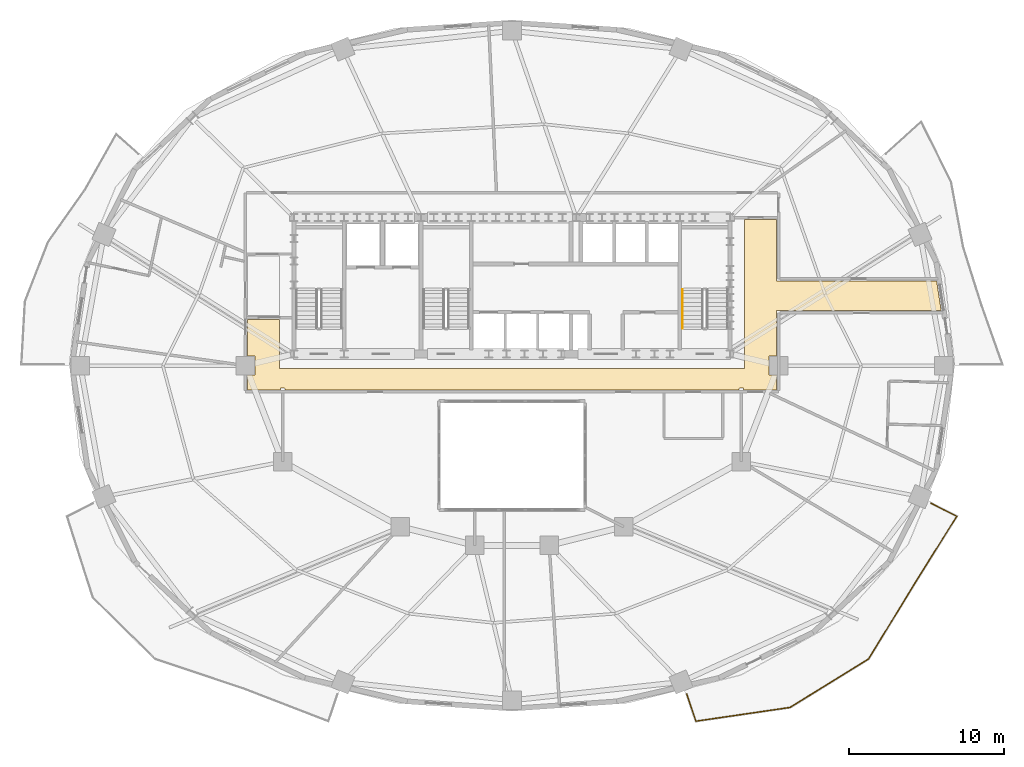
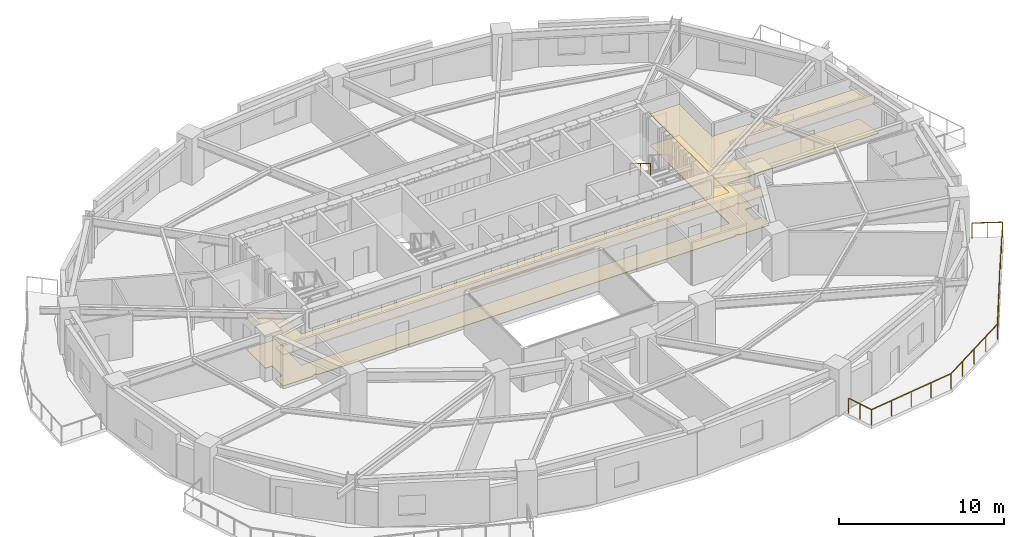
# One storey, part 12 of 13: 2 coverings, 2 railings.
"""IFC4 building model written with IfcOpenShell, lengths in metres."""

from ifc_helpers import new_model, si_unit, direction, frame, origin, origin_2d, place, context, subcontext, project, spatial, polyline, rectangle, outline, extrude, material, layer, layer_set, type_object, element, save


model = new_model("IFC4")

# Units and contexts
model_context = context("Model", 3, precision=1e-05, world=origin(), true_north=direction((0.0, 1.0)))
body_context = subcontext(model_context, "Body", "Model", "MODEL_VIEW")
ifc_project = project(units=[si_unit("LENGTHUNIT", "METRE"), si_unit("AREAUNIT", "SQUARE_METRE"), si_unit("VOLUMEUNIT", "CUBIC_METRE"), si_unit("PLANEANGLEUNIT", "RADIAN"), si_unit("MASSUNIT", "GRAM", prefix="KILO")], contexts=[model_context])

# Site, building, storey
site_placement = place(None, origin())
site = spatial("IfcSite", under=ifc_project, at=site_placement, CompositionType="ELEMENT")
building_placement = place(site_placement, origin())
building = spatial("IfcBuilding", under=site, at=building_placement, Name="Haldorwick Loom Tower", CompositionType="ELEMENT")
storey_placement = place(building_placement, frame((0.0, 0.0, 120.800048828125)))
storey = spatial("IfcBuildingStorey", under=building, at=storey_placement, Name="L32", CompositionType="ELEMENT", Elevation=120.800048828125)

# Coverings
ifc_material_1 = material(Name="Mineral Fibre Acoustic Ceiling Tile")
ifc_layer_1 = layer(ifc_material_1, 0.054931640625, Name="Mineral Fibre Acoustic Ceiling Tile")
ifc_layer_set_1 = layer_set([ifc_layer_1], Name="Mineral Fibre Acoustic Ceiling Tile")
covering_type_1 = type_object("IfcCoveringType", Name="ARC-COV-CEIL2", PredefinedType="CEILING", material=ifc_layer_set_1)
covering_1_placement = place(storey_placement, frame((0.0, 0.0, 2.302001953125)))
element("IfcCovering", 1, at=covering_1_placement, inside=storey, type_object=covering_type_1, Name="L32 Acoustic Suspended Ceiling 1", PredefinedType="CEILING", context=body_context, shape_type="SweptSolid", body=[
    extrude(outline(polyline([(18.93994140625, 26.60791015625), (19.407958984375, 26.60791015625), (19.407958984375, 25.39208984375), (18.948974609375, 25.39208984375), (18.940185546875, 24.43994140625), (21.06005859375, 24.43994140625), (21.06005859375, 24.52001953125), (21.06005859375, 24.52197265625), (21.060302734375, 24.52392578125), (21.060791015625, 24.52587890625), (21.0615234375, 24.527587890625), (21.0625, 24.529296875), (21.0634765625, 24.531005859375), (21.064453125, 24.53271484375), (21.06591796875, 24.5341796875), (21.0673828125, 24.535400390625), (21.06884765625, 24.53662109375), (21.070556640625, 24.53759765625), (21.072265625, 24.53857421875), (21.07421875, 24.5390625), (21.076171875, 24.53955078125), (21.077880859375, 24.539794921875), (21.080078125, 24.5400390625), (21.320068359375, 24.5400390625), (21.322021484375, 24.539794921875), (21.323974609375, 24.53955078125), (21.32568359375, 24.5390625), (21.32763671875, 24.53857421875), (21.329345703125, 24.53759765625), (21.3310546875, 24.53662109375), (21.332763671875, 24.535400390625), (21.333984375, 24.5341796875), (21.33544921875, 24.53271484375), (21.336669921875, 24.531005859375), (21.337646484375, 24.529296875), (21.33837890625, 24.527587890625), (21.339111328125, 24.52587890625), (21.339599609375, 24.52392578125), (21.33984375, 24.52197265625), (21.340087890625, 24.52001953125), (21.340087890625, 24.43994140625), (50.659912109375, 24.43994140625), (50.659912109375, 24.52001953125), (50.66015625, 24.52197265625), (50.660400390625, 24.52392578125), (50.660888671875, 24.52587890625), (50.66162109375, 24.527587890625), (50.662353515625, 24.529296875), (50.663330078125, 24.531005859375), (50.66455078125, 24.53271484375), (50.666015625, 24.5341796875), (50.667236328125, 24.535400390625), (50.6689453125, 24.53662109375), (50.670654296875, 24.53759765625), (50.67236328125, 24.53857421875), (50.67431640625, 24.5390625), (50.676025390625, 24.53955078125), (50.677978515625, 24.539794921875), (50.679931640625, 24.5400390625), (50.919921875, 24.5400390625), (50.922119140625, 24.539794921875), (50.923828125, 24.53955078125), (50.92578125, 24.5390625), (50.927734375, 24.53857421875), (50.929443359375, 24.53759765625), (50.93115234375, 24.53662109375), (50.9326171875, 24.535400390625), (50.93408203125, 24.5341796875), (50.935546875, 24.53271484375), (50.9365234375, 24.531005859375), (50.9375, 24.529296875), (50.9384765625, 24.527587890625), (50.939208984375, 24.52587890625), (50.939697265625, 24.52392578125), (50.93994140625, 24.52197265625), (50.93994140625, 24.52001953125), (50.93994140625, 24.43994140625), (53.06005859375, 24.43994140625), (53.06005859375, 25.39208984375), (52.592041015625, 25.39208984375), (52.592041015625, 26.60791015625), (53.06005859375, 26.60791015625), (53.06005859375, 29.52001953125), (53.06005859375, 29.52197265625), (53.060302734375, 29.52392578125), (53.060791015625, 29.52587890625), (53.0615234375, 29.527587890625), (53.0625, 29.529296875), (53.0634765625, 29.531005859375), (53.064453125, 29.53271484375), (53.06591796875, 29.5341796875), (53.0673828125, 29.535400390625), (53.06884765625, 29.53662109375), (53.070556640625, 29.53759765625), (53.072265625, 29.53857421875), (53.07421875, 29.5390625), (53.076171875, 29.53955078125), (53.077880859375, 29.539794921875), (53.080078125, 29.5400390625), (63.69140625, 29.5400390625), (63.398681640625, 31.4599609375), (53.080078125, 31.4599609375), (53.077880859375, 31.460205078125), (53.076171875, 31.46044921875), (53.07421875, 31.4609375), (53.072265625, 31.46142578125), (53.070556640625, 31.46240234375), (53.06884765625, 31.46337890625), (53.0673828125, 31.464599609375), (53.06591796875, 31.4658203125), (53.064453125, 31.46728515625), (53.0634765625, 31.468994140625), (53.0625, 31.470703125), (53.0615234375, 31.472412109375), (53.060791015625, 31.47412109375), (53.060302734375, 31.47607421875), (53.06005859375, 31.47802734375), (53.06005859375, 31.47998046875), (53.06005859375, 35.409912109375), (51.0, 35.409912109375), (51.0, 25.800048828125), (21.0, 25.800048828125), (21.0, 28.9599609375), (18.93994140625, 28.9599609375), (18.93994140625, 26.60791015625)])), origin(), (0.0, 0.0, 1.0), 0.054931640625),
])
ifc_material_2 = material(Name="Polished Aggregate Terrazzo Finish")
ifc_layer_2 = layer(ifc_material_2, 0.044921875, Name="Polished Aggregate Terrazzo Finish")
ifc_layer_set_2 = layer_set([ifc_layer_2], Name="Polished Aggregate Terrazzo Finish")
covering_type_2 = type_object("IfcCoveringType", Name="ARC-COV-FLOOR2", PredefinedType="FLOORING", material=ifc_layer_set_2)
covering_2_placement = place(storey_placement, origin())
element("IfcCovering", 2, at=covering_2_placement, inside=storey, type_object=covering_type_2, Name="L32 Floor Finish 1", PredefinedType="FLOORING", context=body_context, shape_type="SweptSolid", body=[
    extrude(outline(polyline([(18.93994140625, 26.60791015625), (19.407958984375, 26.60791015625), (19.407958984375, 25.39208984375), (18.948974609375, 25.39208984375), (18.940185546875, 24.43994140625), (21.06005859375, 24.43994140625), (21.06005859375, 24.52001953125), (21.06005859375, 24.52197265625), (21.060302734375, 24.52392578125), (21.060791015625, 24.52587890625), (21.0615234375, 24.527587890625), (21.0625, 24.529296875), (21.0634765625, 24.531005859375), (21.064453125, 24.53271484375), (21.06591796875, 24.5341796875), (21.0673828125, 24.535400390625), (21.06884765625, 24.53662109375), (21.070556640625, 24.53759765625), (21.072265625, 24.53857421875), (21.07421875, 24.5390625), (21.076171875, 24.53955078125), (21.077880859375, 24.539794921875), (21.080078125, 24.5400390625), (21.320068359375, 24.5400390625), (21.322021484375, 24.539794921875), (21.323974609375, 24.53955078125), (21.32568359375, 24.5390625), (21.32763671875, 24.53857421875), (21.329345703125, 24.53759765625), (21.3310546875, 24.53662109375), (21.332763671875, 24.535400390625), (21.333984375, 24.5341796875), (21.33544921875, 24.53271484375), (21.336669921875, 24.531005859375), (21.337646484375, 24.529296875), (21.33837890625, 24.527587890625), (21.339111328125, 24.52587890625), (21.339599609375, 24.52392578125), (21.33984375, 24.52197265625), (21.340087890625, 24.52001953125), (21.340087890625, 24.43994140625), (50.659912109375, 24.43994140625), (50.659912109375, 24.52001953125), (50.66015625, 24.52197265625), (50.660400390625, 24.52392578125), (50.660888671875, 24.52587890625), (50.66162109375, 24.527587890625), (50.662353515625, 24.529296875), (50.663330078125, 24.531005859375), (50.66455078125, 24.53271484375), (50.666015625, 24.5341796875), (50.667236328125, 24.535400390625), (50.6689453125, 24.53662109375), (50.670654296875, 24.53759765625), (50.67236328125, 24.53857421875), (50.67431640625, 24.5390625), (50.676025390625, 24.53955078125), (50.677978515625, 24.539794921875), (50.679931640625, 24.5400390625), (50.919921875, 24.5400390625), (50.922119140625, 24.539794921875), (50.923828125, 24.53955078125), (50.92578125, 24.5390625), (50.927734375, 24.53857421875), (50.929443359375, 24.53759765625), (50.93115234375, 24.53662109375), (50.9326171875, 24.535400390625), (50.93408203125, 24.5341796875), (50.935546875, 24.53271484375), (50.9365234375, 24.531005859375), (50.9375, 24.529296875), (50.9384765625, 24.527587890625), (50.939208984375, 24.52587890625), (50.939697265625, 24.52392578125), (50.93994140625, 24.52197265625), (50.93994140625, 24.52001953125), (50.93994140625, 24.43994140625), (53.06005859375, 24.43994140625), (53.06005859375, 25.39208984375), (52.592041015625, 25.39208984375), (52.592041015625, 26.60791015625), (53.06005859375, 26.60791015625), (53.06005859375, 29.52001953125), (53.06005859375, 29.52197265625), (53.060302734375, 29.52392578125), (53.060791015625, 29.52587890625), (53.0615234375, 29.527587890625), (53.0625, 29.529296875), (53.0634765625, 29.531005859375), (53.064453125, 29.53271484375), (53.06591796875, 29.5341796875), (53.0673828125, 29.535400390625), (53.06884765625, 29.53662109375), (53.070556640625, 29.53759765625), (53.072265625, 29.53857421875), (53.07421875, 29.5390625), (53.076171875, 29.53955078125), (53.077880859375, 29.539794921875), (53.080078125, 29.5400390625), (63.69140625, 29.5400390625), (63.398681640625, 31.4599609375), (53.080078125, 31.4599609375), (53.077880859375, 31.460205078125), (53.076171875, 31.46044921875), (53.07421875, 31.4609375), (53.072265625, 31.46142578125), (53.070556640625, 31.46240234375), (53.06884765625, 31.46337890625), (53.0673828125, 31.464599609375), (53.06591796875, 31.4658203125), (53.064453125, 31.46728515625), (53.0634765625, 31.468994140625), (53.0625, 31.470703125), (53.0615234375, 31.472412109375), (53.060791015625, 31.47412109375), (53.060302734375, 31.47607421875), (53.06005859375, 31.47802734375), (53.06005859375, 31.47998046875), (53.06005859375, 35.409912109375), (51.0, 35.409912109375), (51.0, 25.800048828125), (21.0, 25.800048828125), (21.0, 28.9599609375), (18.93994140625, 28.9599609375), (18.93994140625, 26.60791015625)])), origin(), (0.0, 0.0, 1.0), 0.044921875),
])

# Railings
ifc_material_3 = material(Name="Galvanized Steel CSA G40.21 350W", Category="steel")
railing_type_1 = type_object("IfcRailingType", Name="ARC-RLG-BAL115", PredefinedType="BALUSTRADE", material=ifc_material_3)
railing_1_placement = place(storey_placement, frame((63.02783203125, 17.1220703125, 0.0)))
element("IfcRailing", 3, at=railing_1_placement, inside=storey, type_object=railing_type_1, Name="L32 Outdoor Terrace Guardrail SLB-L32-BAL_SE-1", PredefinedType="BALUSTRADE", context=body_context, shape_type="SweptSolid", body=[
    extrude(rectangle(XDim=0.048095703125, YDim=0.048095703125, at=origin_2d()), frame((0.0, 0.0, 1.1259765625), z_axis=(0.890767264221, -0.454459768288, 0.0), x_axis=(0.454459768288, 0.890767264221, 0.0)), (0.0, 0.0, 1.0), 1.869384765625),
    extrude(rectangle(XDim=0.048095703125, YDim=0.048095703125, at=origin_2d()), frame((1.665283203125, -0.849609375, 1.1259765625), z_axis=(-0.529951380913, -0.848028026582, 0.0), x_axis=(0.848028026582, -0.529951380913, 0.0)), (0.0, 0.0, 1.0), 5.075927734375),
    extrude(rectangle(XDim=0.048095703125, YDim=0.048095703125, at=origin_2d()), frame((-1.024658203125, -5.154052734375, 1.1259765625), z_axis=(-0.554700196225, -0.832050294338, 0.0), x_axis=(0.832050294338, -0.554700196225, 0.0)), (0.0, 0.0, 1.0), 0.0009765625),
    extrude(rectangle(XDim=0.048095703125, YDim=0.048095703125, at=origin_2d()), frame((-1.025146484375, -5.15478515625, 1.1259765625), z_axis=(-0.521847154489, -0.853039006935, 0.0), x_axis=(0.853039006935, -0.521847154489, 0.0)), (0.0, 0.0, 1.0), 5.7431640625),
    extrude(rectangle(XDim=0.048095703125, YDim=0.048095703125, at=origin_2d()), frame((-4.022216796875, -10.053955078125, 1.1259765625), z_axis=(-0.850607263174, -0.525801563173, 0.0), x_axis=(0.525801563173, -0.850607263174, 0.0)), (0.0, 0.0, 1.0), 5.943359375),
    extrude(rectangle(XDim=0.048095703125, YDim=0.048095703125, at=origin_2d()), frame((-9.07763671875, -13.178955078125, 1.1259765625), z_axis=(-0.989471467906, -0.144728069844, 0.0), x_axis=(0.144728069844, -0.989471467906, 0.0)), (0.0, 0.0, 1.0), 6.148681640625),
    extrude(rectangle(XDim=0.048095703125, YDim=0.048095703125, at=origin_2d()), frame((-15.16162109375, -14.06884765625, 1.1259765625), z_axis=(-0.320419545488, 0.947275733284, 0.0), x_axis=(-0.947275733284, -0.320419545488, 0.0)), (0.0, 0.0, 1.0), 1.850830078125),
    extrude(rectangle(XDim=0.0419921875, YDim=0.0419921875, at=origin_2d()), origin(), (0.0, 0.0, 1.0), 1.101806640625),
    extrude(rectangle(XDim=0.0419921875, YDim=0.0419921875, at=origin_2d()), frame((0.83251953125, -0.4248046875, 0.0)), (0.0, 0.0, 1.0), 1.101806640625),
    extrude(rectangle(XDim=0.0419921875, YDim=0.0419921875, at=origin_2d()), frame((1.665283203125, -0.849609375, 0.0)), (0.0, 0.0, 1.0), 1.101806640625),
    extrude(rectangle(XDim=0.0419921875, YDim=0.0419921875, at=origin_2d()), frame((0.7685546875, -2.284423828125, 0.0)), (0.0, 0.0, 1.0), 1.101806640625),
    extrude(rectangle(XDim=0.0419921875, YDim=0.0419921875, at=origin_2d()), frame((-0.1279296875, -3.71923828125, 0.0)), (0.0, 0.0, 1.0), 1.101806640625),
    extrude(rectangle(XDim=0.0419921875, YDim=0.0419921875, at=origin_2d()), frame((-1.024658203125, -5.154052734375, 0.0)), (0.0, 0.0, 1.0), 1.101806640625),
    extrude(rectangle(XDim=0.0419921875, YDim=0.0419921875, at=origin_2d()), frame((-1.7744140625, -6.379638671875, 0.0)), (0.0, 0.0, 1.0), 1.101806640625),
    extrude(rectangle(XDim=0.0419921875, YDim=0.0419921875, at=origin_2d()), frame((-2.523681640625, -7.6044921875, 0.0)), (0.0, 0.0, 1.0), 1.101806640625),
    extrude(rectangle(XDim=0.0419921875, YDim=0.0419921875, at=origin_2d()), frame((-3.27294921875, -8.8291015625, 0.0)), (0.0, 0.0, 1.0), 1.101806640625),
    extrude(rectangle(XDim=0.0419921875, YDim=0.0419921875, at=origin_2d()), frame((-4.022216796875, -10.053955078125, 0.0)), (0.0, 0.0, 1.0), 1.101806640625),
    extrude(rectangle(XDim=0.0419921875, YDim=0.0419921875, at=origin_2d()), frame((-5.2861328125, -10.835205078125, 0.0)), (0.0, 0.0, 1.0), 1.101806640625),
    extrude(rectangle(XDim=0.0419921875, YDim=0.0419921875, at=origin_2d()), frame((-6.5498046875, -11.616455078125, 0.0)), (0.0, 0.0, 1.0), 1.101806640625),
    extrude(rectangle(XDim=0.0419921875, YDim=0.0419921875, at=origin_2d()), frame((-7.813720703125, -12.397705078125, 0.0)), (0.0, 0.0, 1.0), 1.101806640625),
    extrude(rectangle(XDim=0.0419921875, YDim=0.0419921875, at=origin_2d()), frame((-9.07763671875, -13.178955078125, 0.0)), (0.0, 0.0, 1.0), 1.101806640625),
    extrude(rectangle(XDim=0.0419921875, YDim=0.0419921875, at=origin_2d()), frame((-10.5986328125, -13.4013671875, 0.0)), (0.0, 0.0, 1.0), 1.101806640625),
    extrude(rectangle(XDim=0.0419921875, YDim=0.0419921875, at=origin_2d()), frame((-12.11962890625, -13.6240234375, 0.0)), (0.0, 0.0, 1.0), 1.101806640625),
    extrude(rectangle(XDim=0.0419921875, YDim=0.0419921875, at=origin_2d()), frame((-13.640625, -13.846435546875, 0.0)), (0.0, 0.0, 1.0), 1.101806640625),
    extrude(rectangle(XDim=0.0419921875, YDim=0.0419921875, at=origin_2d()), frame((-15.16162109375, -14.06884765625, 0.0)), (0.0, 0.0, 1.0), 1.101806640625),
    extrude(rectangle(XDim=0.0419921875, YDim=0.0419921875, at=origin_2d()), frame((-15.4580078125, -13.1923828125, 0.0)), (0.0, 0.0, 1.0), 1.101806640625),
    extrude(rectangle(XDim=0.0419921875, YDim=0.0419921875, at=origin_2d()), frame((-15.754638671875, -12.315673828125, 0.0)), (0.0, 0.0, 1.0), 1.101806640625),
])
ifc_material_4 = material(Name="Steel CSA G40.21 350W", Category="steel")
railing_type_2 = type_object("IfcRailingType", Name="ARC-RLG-HAND092", PredefinedType="HANDRAIL", material=ifc_material_4)
railing_2_placement = place(storey_placement, frame((47.0, 30.919921875, 1.8974609375)))
element("IfcRailing", 4, at=railing_2_placement, inside=storey, type_object=railing_type_2, Name="L32 ST-02 stair handrail 2", PredefinedType="HANDRAIL", context=body_context, shape_type="SweptSolid", body=[
    extrude(rectangle(XDim=0.048095703125, YDim=0.048095703125, at=origin_2d()), frame((0.0, 0.0, 0.8759765625), z_axis=(0.0, -0.851400495292, 0.524516154772), x_axis=(1.0, 0.0, 0.0)), (0.0, 0.0, 1.0), 2.9599609375),
    extrude(rectangle(XDim=0.0419921875, YDim=0.0419921875, at=origin_2d()), origin(), (0.0, 0.0, 1.0), 0.851806640625),
    extrude(rectangle(XDim=0.0419921875, YDim=0.0419921875, at=origin_2d()), frame((0.0, -1.260009765625, 0.7763671875)), (0.0, 0.0, 1.0), 0.851806640625),
    extrude(rectangle(XDim=0.0419921875, YDim=0.0419921875, at=origin_2d()), frame((0.0, -2.52001953125, 1.552490234375)), (0.0, 0.0, 1.0), 0.851806640625),
])

save(model, "model.ifc")
